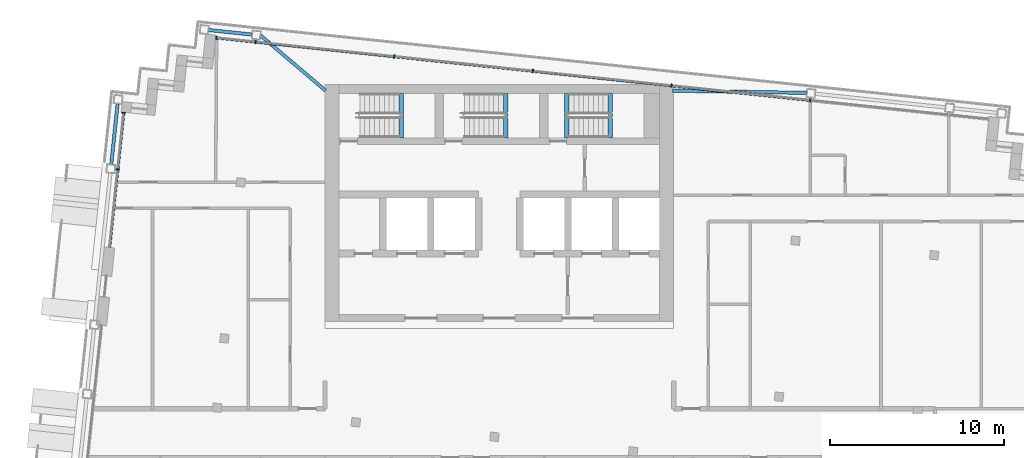
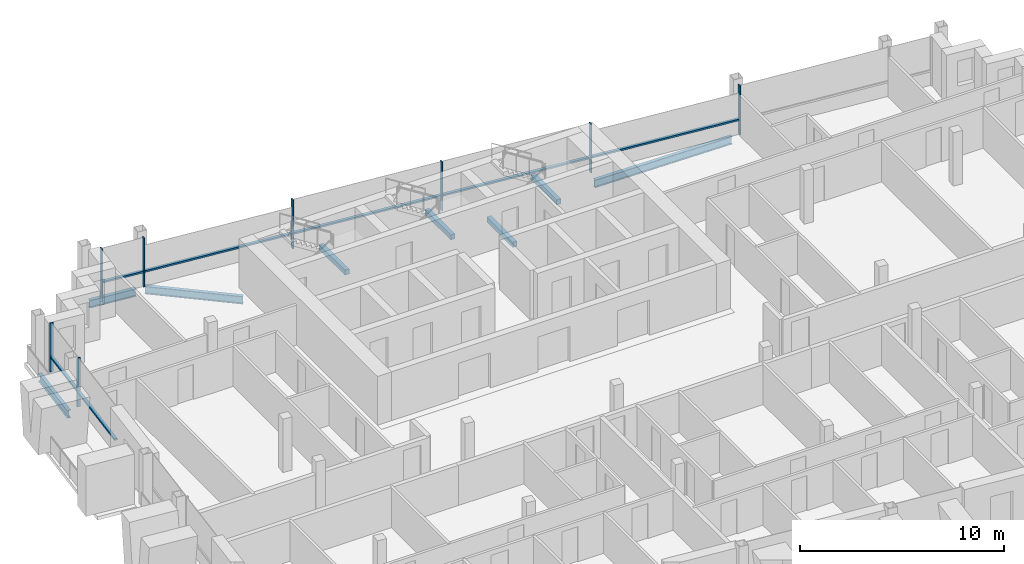
# One storey, part 5 of 17: 15 members, 8 beams, 2 elements without a shape of their own.
"""IFC4 building model written with IfcOpenShell, lengths in metres."""

from ifc_helpers import new_model, si_unit, direction, frame, origin, origin_2d, place, context, subcontext, project, spatial, rectangle, i_section, extrude, material, material_profile, profile_set, type_object, element, aggregate, save


model = new_model("IFC4")

# Units and contexts
model_context = context("Model", 3, precision=1e-05, world=origin(), true_north=direction((0.0, 1.0)))
body_context = subcontext(model_context, "Body", "Model", "MODEL_VIEW")
ifc_project = project(units=[si_unit("LENGTHUNIT", "METRE"), si_unit("AREAUNIT", "SQUARE_METRE"), si_unit("VOLUMEUNIT", "CUBIC_METRE"), si_unit("PLANEANGLEUNIT", "RADIAN"), si_unit("MASSUNIT", "GRAM", prefix="KILO")], contexts=[model_context])

# Site, building, storey
site_placement = place(None, origin())
site = spatial("IfcSite", under=ifc_project, at=site_placement, CompositionType="ELEMENT")
building_placement = place(site_placement, origin())
building = spatial("IfcBuilding", under=site, at=building_placement, Name="Vidyagriha Tower", CompositionType="ELEMENT")
storey_placement = place(building_placement, frame((0.0, 0.0, 269.10009765625)))
storey = spatial("IfcBuildingStorey", under=building, at=storey_placement, Name="L70", CompositionType="ELEMENT", Elevation=269.10009765625)

# Beams
ifc_material_1 = material(Name="Steel ASTM A992 Grade 50", Category="steel")
ifc_material_profile_1 = material_profile(ifc_material_1, i_section(OverallWidth=0.19189453125, OverallDepth=0.46240234375, WebThickness=0.010498046875, FlangeThickness=0.017578125, at=origin_2d()), Name="W18X60")
ifc_profile_set_1 = profile_set([ifc_material_profile_1], Name="Steel ASTM A992 Grade 50")
beam_type_1 = type_object("IfcBeamType", Name="Edge beam W18X60", PredefinedType="SPANDREL", material=ifc_profile_set_1)
beam_1_placement = place(storey_placement, frame((-22.263916015625, 15.422607421875, -0.51123046875), z_axis=(0.104495960989, 0.994525310958, 0.0), x_axis=(-0.994525310958, 0.104495960989, 0.0)))
element("IfcBeam", 1, at=beam_1_placement, inside=storey, type_object=beam_type_1, Name="st-beam-L70-W12", PredefinedType="SPANDREL", context=body_context, shape_type="SweptSolid", body=[
    extrude(i_section(OverallWidth=0.19189453125, OverallDepth=0.46240234375, WebThickness=0.010498046875, FlangeThickness=0.017578125, at=origin_2d()), origin(), (0.0, 0.0, 1.0), 3.499755859375),
])
beam_2_placement = place(storey_placement, frame((-16.677490234375, 23.130859375, -0.51123046875), z_axis=(0.994514546653, -0.104598357995, 0.0), x_axis=(0.104598357995, 0.994514546653, 0.0)))
element("IfcBeam", 2, at=beam_2_placement, inside=storey, type_object=beam_type_1, Name="st-beam-L70-NW18", PredefinedType="SPANDREL", context=body_context, shape_type="SweptSolid", body=[
    extrude(i_section(OverallWidth=0.19189453125, OverallDepth=0.46240234375, WebThickness=0.010498046875, FlangeThickness=0.017578125, at=origin_2d()), origin(), (0.0, 0.0, 1.0), 2.499755859375),
])
beam_3_placement = place(storey_placement, frame((-13.694091796875, 22.817138671875, -0.51123046875), z_axis=(0.762224865329, -0.647312331625, 0.0), x_axis=(0.647312331625, 0.762224865329, 0.0)))
element("IfcBeam", 3, at=beam_3_placement, inside=storey, type_object=beam_type_1, Name="st-beam-L70-NC21", PredefinedType="SPANDREL", context=body_context, shape_type="SweptSolid", body=[
    extrude(i_section(OverallWidth=0.19189453125, OverallDepth=0.46240234375, WebThickness=0.010498046875, FlangeThickness=0.017578125, at=origin_2d()), origin(), (0.0, 0.0, 1.0), 4.892822265625),
])
beam_4_placement = place(storey_placement, frame((9.92578125, 19.64990234375, -0.51123046875), z_axis=(0.99986748631, -0.016279122203, 0.0), x_axis=(0.016279122203, 0.99986748631, 0.0)))
element("IfcBeam", 4, at=beam_4_placement, inside=storey, type_object=beam_type_1, Name="st-beam-L70-NC22", PredefinedType="SPANDREL", context=body_context, shape_type="SweptSolid", body=[
    extrude(i_section(OverallWidth=0.19189453125, OverallDepth=0.46240234375, WebThickness=0.010498046875, FlangeThickness=0.017578125, at=origin_2d()), origin(), (0.0, 0.0, 1.0), 7.70849609375),
])

# Curtain wall, members
ifc_material_2 = material(Name="Aluminium and glass curtain wall", Category="aluminium")
curtain_wall_type = type_object("IfcCurtainWallType", Name="Dwelling skin unitised curtain wall", PredefinedType="USERDEFINED", material=ifc_material_2)
curtain_wall_1_placement = place(storey_placement, origin())
curtain_wall_1 = element("IfcCurtainWall", 5, at=curtain_wall_1_placement, inside=storey, type_object=curtain_wall_type, Name="CW1 dwelling skin", ObjectType="UNITISED", PredefinedType="USERDEFINED")
ifc_material_3 = material(Name="Aluminium black anodised", Category="aluminium")
ifc_material_profile_2 = material_profile(ifc_material_3, rectangle(XDim=0.199951171875, YDim=0.070068359375, at=origin_2d()), Name="Mullion 70x200 black aluminium")
ifc_profile_set_2 = profile_set([ifc_material_profile_2], Name="Aluminium black anodised")
member_type_1 = type_object("IfcMemberType", Name="Mullion 70x200 black aluminium", PredefinedType="MULLION", material=ifc_profile_set_2)
member_1_placement = place(storey_placement, frame((17.840087890625, 19.1005859375, 0.0), z_axis=(0.0, 0.0, 1.0), x_axis=(-0.104528852722, -0.994521854435, 0.0)))
member_1 = element("IfcMember", 6, at=member_1_placement, type_object=member_type_1, Name="CW1 mullion 3", PredefinedType="MULLION", context=body_context, shape_type="SweptSolid", body=[
    extrude(rectangle(XDim=0.199951171875, YDim=0.070068359375, at=origin_2d()), origin(), (0.0, 0.0, 1.0), 2.919921875),
])
member_2_placement = place(storey_placement, frame((9.884033203125, 19.936767578125, 0.0), z_axis=(0.0, 0.0, 1.0), x_axis=(-0.104528852722, -0.994521854435, 0.0)))
member_2 = element("IfcMember", 7, at=member_2_placement, type_object=member_type_1, Name="CW1 mullion 4", PredefinedType="MULLION", context=body_context, shape_type="SweptSolid", body=[
    extrude(rectangle(XDim=0.199951171875, YDim=0.070068359375, at=origin_2d()), origin(), (0.0, 0.0, 1.0), 2.919921875),
])
member_3_placement = place(storey_placement, frame((1.927978515625, 20.773193359375, 0.0), z_axis=(0.0, 0.0, 1.0), x_axis=(-0.104528852722, -0.994521854435, 0.0)))
member_3 = element("IfcMember", 8, at=member_3_placement, type_object=member_type_1, Name="CW1 mullion 5", PredefinedType="MULLION", context=body_context, shape_type="SweptSolid", body=[
    extrude(rectangle(XDim=0.199951171875, YDim=0.070068359375, at=origin_2d()), origin(), (0.0, 0.0, 1.0), 2.919921875),
])
member_4_placement = place(storey_placement, frame((-6.0283203125, 21.609375, 0.0), z_axis=(0.0, 0.0, 1.0), x_axis=(-0.104528852722, -0.994521854435, 0.0)))
member_4 = element("IfcMember", 9, at=member_4_placement, type_object=member_type_1, Name="CW1 mullion 6", PredefinedType="MULLION", context=body_context, shape_type="SweptSolid", body=[
    extrude(rectangle(XDim=0.199951171875, YDim=0.070068359375, at=origin_2d()), origin(), (0.0, 0.0, 1.0), 2.919921875),
])
member_5_placement = place(storey_placement, frame((-13.984375, 22.445556640625, 0.0), z_axis=(0.0, 0.0, 1.0), x_axis=(-0.104528852722, -0.994521854435, 0.0)))
member_5 = element("IfcMember", 10, at=member_5_placement, type_object=member_type_1, Name="CW1 mullion 7", PredefinedType="MULLION", context=body_context, shape_type="SweptSolid", body=[
    extrude(rectangle(XDim=0.199951171875, YDim=0.070068359375, at=origin_2d()), origin(), (0.0, 0.0, 1.0), 2.919921875),
])
member_6_placement = place(storey_placement, frame((-16.2373046875, 22.682373046875, 0.0), z_axis=(0.0, 0.0, 1.0), x_axis=(-0.104528852722, -0.994521854435, 0.0)))
member_6 = element("IfcMember", 11, at=member_6_placement, type_object=member_type_1, Name="CW1 mullion 8", PredefinedType="MULLION", context=body_context, shape_type="SweptSolid", body=[
    extrude(rectangle(XDim=0.199951171875, YDim=0.070068359375, at=origin_2d()), origin(), (0.0, 0.0, 1.0), 2.919921875),
])

curtain_wall_2_placement = place(storey_placement, origin())
curtain_wall_2 = element("IfcCurtainWall", 12, at=curtain_wall_2_placement, inside=storey, type_object=curtain_wall_type, Name="CW1 dwelling skin", ObjectType="UNITISED", PredefinedType="USERDEFINED")
member_7_placement = place(storey_placement, frame((-21.551025390625, 18.379150390625, 0.0), z_axis=(0.0, 0.0, 1.0), x_axis=(0.994522229676, -0.104525282489, 0.0)))
member_7 = element("IfcMember", 13, at=member_7_placement, type_object=member_type_1, Name="CW1 mullion 1", PredefinedType="MULLION", context=body_context, shape_type="SweptSolid", body=[
    extrude(rectangle(XDim=0.199951171875, YDim=0.070068359375, at=origin_2d()), origin(), (0.0, 0.0, 1.0), 2.919921875),
])
member_8_placement = place(storey_placement, frame((-21.892333984375, 15.132080078125, 0.0), z_axis=(0.0, 0.0, 1.0), x_axis=(0.994522229676, -0.104525282489, 0.0)))
member_8 = element("IfcMember", 14, at=member_8_placement, type_object=member_type_1, Name="CW1 mullion 2", PredefinedType="MULLION", context=body_context, shape_type="SweptSolid", body=[
    extrude(rectangle(XDim=0.199951171875, YDim=0.070068359375, at=origin_2d()), origin(), (0.0, 0.0, 1.0), 2.919921875),
])

# Beams
ifc_material_4 = material(Name="Concrete C40/50", Category="concrete")
ifc_material_profile_3 = material_profile(ifc_material_4, rectangle(XDim=0.25, YDim=0.300048828125, at=origin_2d()), Name="Stair landing bearing beam 250x300")
ifc_profile_set_3 = profile_set([ifc_material_profile_3], Name="Concrete C40/50")
beam_type_2 = type_object("IfcBeamType", Name="Stair landing bearing beam 250x300", PredefinedType="BEAM", material=ifc_profile_set_3)
for number, where, z_axis, x_axis, name in (
    (15, (3.875, 16.949951171875, -0.43017578125), (0.0, 1.0, 0.0), (-1.0, 0.0, 0.0), "ST3 floor landing bearing beam L70"),
    (16, (-5.635009765625, 16.949951171875, 1.25), (0.0, 1.0, 0.0), (-1.0, 0.0, 0.0), "ST1 landing bearing beam L70"),
    (17, (0.364990234375, 16.949951171875, 1.25), (0.0, 1.0, 0.0), (-1.0, 0.0, 0.0), "ST2 landing bearing beam L70"),
    (18, (6.364990234375, 16.949951171875, 1.25), (0.0, 1.0, 0.0), (-1.0, 0.0, 0.0), "ST3 landing bearing beam L70"),
):
    element("IfcBeam", number, at=place(storey_placement, frame(where, z_axis=z_axis, x_axis=x_axis)), inside=storey, type_object=beam_type_2, Name=name, PredefinedType="BEAM", context=body_context, shape_type="SweptSolid", body=[
        extrude(rectangle(XDim=0.25, YDim=0.300048828125, at=origin_2d()), origin(), (0.0, 0.0, 1.0), 2.550048828125),
    ])

# Member
ifc_material_5 = material(Name="Aluminium black anodised", Category="aluminium")
ifc_material_profile_4 = material_profile(ifc_material_5, rectangle(XDim=0.159912109375, YDim=0.10009765625, at=origin_2d()), Name="Transom 100x160 black aluminium")
ifc_profile_set_4 = profile_set([ifc_material_profile_4], Name="Aluminium black anodised")
member_type_2 = type_object("IfcMemberType", Name="Transom 100x160 black aluminium", PredefinedType="USERDEFINED", material=ifc_profile_set_4)
member_9_placement = place(storey_placement, frame((17.805419921875, 19.104248046875, 0.89990234375), z_axis=(-0.994522814543, 0.104519717539, 0.0), x_axis=(-0.104519717539, -0.994522814543, 0.0)))
member_9 = element("IfcMember", 19, at=member_9_placement, type_object=member_type_2, Name="CW1 transom 3.1", ObjectType="TRANSOM", PredefinedType="USERDEFINED", context=body_context, shape_type="SweptSolid", body=[
    extrude(rectangle(XDim=0.159912109375, YDim=0.10009765625, at=origin_2d()), origin(), (0.0, 0.0, 1.0), 7.93017578125),
])

member_10_placement = place(storey_placement, frame((9.84912109375, 19.9404296875, 0.89990234375), z_axis=(-0.994519277397, 0.104553368605, 0.0), x_axis=(-0.104553368605, -0.994519277397, 0.0)))
member_10 = element("IfcMember", 20, at=member_10_placement, type_object=member_type_2, Name="CW1 transom 4.1", ObjectType="TRANSOM", PredefinedType="USERDEFINED", context=body_context, shape_type="SweptSolid", body=[
    extrude(rectangle(XDim=0.159912109375, YDim=0.10009765625, at=origin_2d()), origin(), (0.0, 0.0, 1.0), 7.929931640625),
])

member_11_placement = place(storey_placement, frame((1.89306640625, 20.77685546875, 0.89990234375), z_axis=(-0.994522478205, 0.104522917794, 0.0), x_axis=(-0.104522917794, -0.994522478205, 0.0)))
member_11 = element("IfcMember", 21, at=member_11_placement, type_object=member_type_2, Name="CW1 transom 5.1", ObjectType="TRANSOM", PredefinedType="USERDEFINED", context=body_context, shape_type="SweptSolid", body=[
    extrude(rectangle(XDim=0.159912109375, YDim=0.10009765625, at=origin_2d()), origin(), (0.0, 0.0, 1.0), 7.929931640625),
])

member_12_placement = place(storey_placement, frame((-6.06298828125, 21.613037109375, 0.89990234375), z_axis=(-0.994522814543, 0.104519717539, 0.0), x_axis=(-0.104519717539, -0.994522814543, 0.0)))
member_12 = element("IfcMember", 22, at=member_12_placement, type_object=member_type_2, Name="CW1 transom 6.1", ObjectType="TRANSOM", PredefinedType="USERDEFINED", context=body_context, shape_type="SweptSolid", body=[
    extrude(rectangle(XDim=0.159912109375, YDim=0.10009765625, at=origin_2d()), origin(), (0.0, 0.0, 1.0), 7.93017578125),
])

member_13_placement = place(storey_placement, frame((-14.019287109375, 22.44921875, 0.89990234375), z_axis=(-0.994520069272, 0.104545835956, 0.0), x_axis=(-0.104545835956, -0.994520069272, 0.0)))
member_13 = element("IfcMember", 23, at=member_13_placement, type_object=member_type_2, Name="CW1 transom 7.1", ObjectType="TRANSOM", PredefinedType="USERDEFINED", context=body_context, shape_type="SweptSolid", body=[
    extrude(rectangle(XDim=0.159912109375, YDim=0.10009765625, at=origin_2d()), origin(), (0.0, 0.0, 1.0), 2.195068359375),
])

aggregate(curtain_wall_1, [member_1, member_2, member_3, member_4, member_5, member_6, member_9, member_10, member_11, member_12, member_13])

member_14_placement = place(storey_placement, frame((-21.5546875, 18.344482421875, 0.89990234375), z_axis=(-0.104533631179, -0.994521352185, 0.0), x_axis=(0.994521352185, -0.104533631179, 0.0)))
member_14 = element("IfcMember", 24, at=member_14_placement, type_object=member_type_2, Name="CW1 transom 1.1", ObjectType="TRANSOM", PredefinedType="USERDEFINED", context=body_context, shape_type="SweptSolid", body=[
    extrude(rectangle(XDim=0.159912109375, YDim=0.10009765625, at=origin_2d()), origin(), (0.0, 0.0, 1.0), 3.195068359375),
])

member_15_placement = place(storey_placement, frame((-21.89599609375, 15.097412109375, 0.89990234375), z_axis=(-0.104542473379, -0.994520422746, 0.0), x_axis=(0.994520422746, -0.104542473379, 0.0)))
member_15 = element("IfcMember", 25, at=member_15_placement, type_object=member_type_2, Name="CW1 transom 2.1", ObjectType="TRANSOM", PredefinedType="USERDEFINED", context=body_context, shape_type="SweptSolid", body=[
    extrude(rectangle(XDim=0.159912109375, YDim=0.10009765625, at=origin_2d()), origin(), (0.0, 0.0, 1.0), 4.465087890625),
])

aggregate(curtain_wall_2, [member_7, member_8, member_14, member_15])

save(model, "model.ifc")
